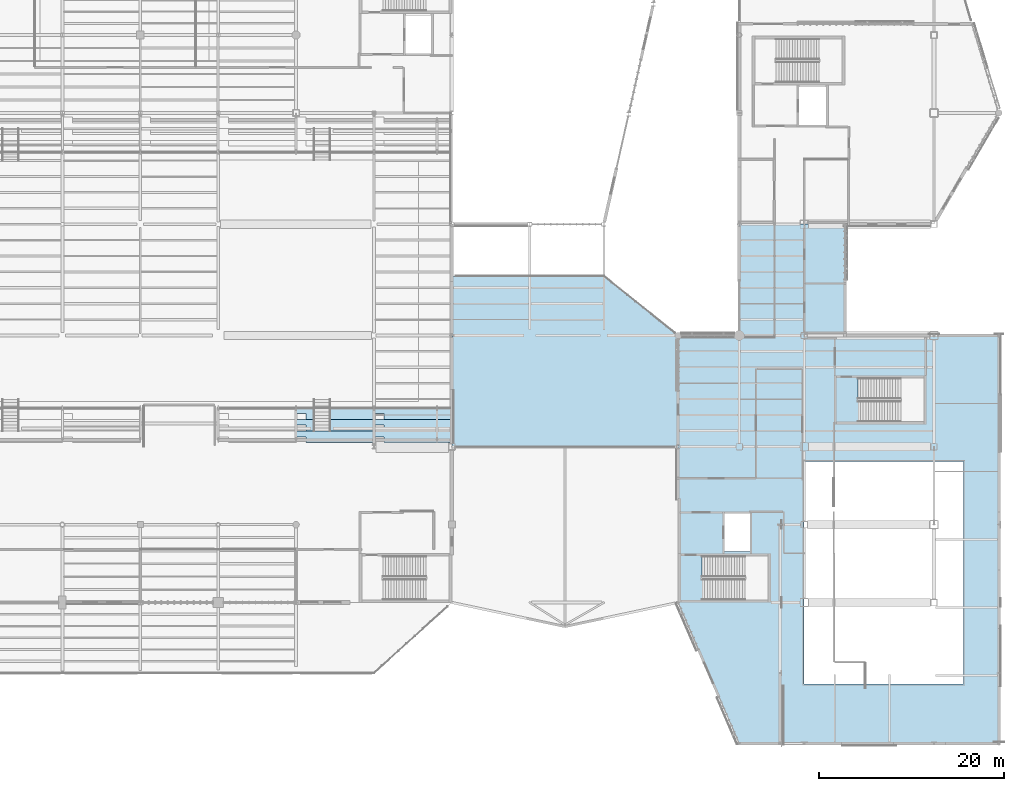
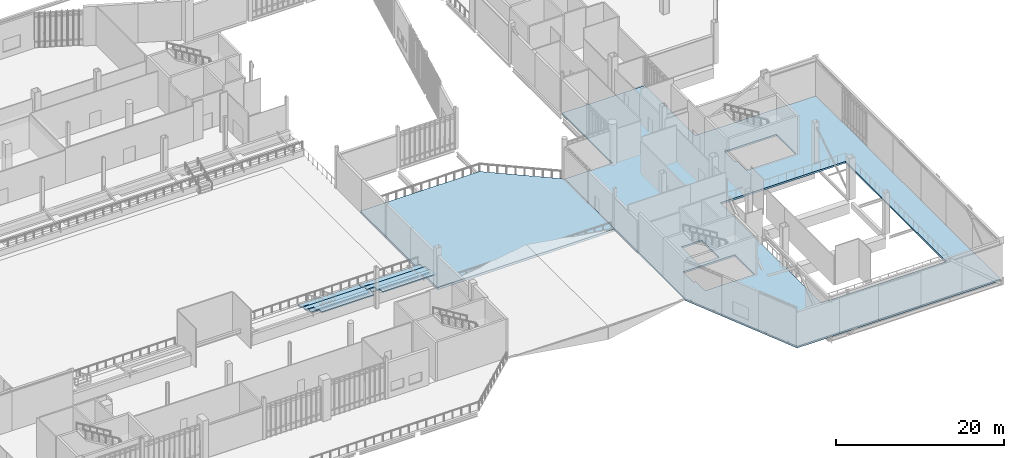
# One storey, part 71 of 135: 8 slabs.
"""IFC4 building model written with IfcOpenShell, lengths in metres."""

from ifc_helpers import new_model, si_unit, direction, frame, origin, place, context, subcontext, project, spatial, polyline, outline, extrude, material, layer, layer_set, type_object, element, save


model = new_model("IFC4")

# Units and contexts
model_context = context("Model", 3, precision=1e-05, world=origin(), true_north=direction((0.0, 1.0)))
body_context = subcontext(model_context, "Body", "Model", "MODEL_VIEW")
ifc_project = project(units=[si_unit("LENGTHUNIT", "METRE"), si_unit("AREAUNIT", "SQUARE_METRE"), si_unit("VOLUMEUNIT", "CUBIC_METRE"), si_unit("PLANEANGLEUNIT", "RADIAN"), si_unit("MASSUNIT", "GRAM", prefix="KILO")], contexts=[model_context])

# Site, building, storey
site_placement = place(None, origin())
site = spatial("IfcSite", under=ifc_project, at=site_placement, CompositionType="ELEMENT")
building_placement = place(site_placement, origin())
building = spatial("IfcBuilding", under=site, at=building_placement, Name="Larkvane Passage Sports Hall", CompositionType="ELEMENT")
storey_placement = place(building_placement, frame((0.0, 0.0, 10.800048828125)))
storey = spatial("IfcBuildingStorey", under=building, at=storey_placement, Name="L02", CompositionType="ELEMENT", Elevation=10.800048828125)

# Slabs
ifc_material_1 = material(Name="Concrete C40/50", Category="concrete")
ifc_layer_1 = layer(ifc_material_1, 0.25)
ifc_layer_set_1 = layer_set([ifc_layer_1], Name="Concrete C40/50")
slab_type_1 = type_object("IfcSlabType", Name="SLB-FLR-250", PredefinedType="FLOOR", material=ifc_layer_set_1)
slab_1_placement = place(storey_placement, frame((0.0, 0.0, -0.25)))
element("IfcSlab", 1, at=slab_1_placement, inside=storey, type_object=slab_type_1, Name="Structural floor slab SLAB-L02-V2", PredefinedType="FLOOR", context=body_context, shape_type="SweptSolid", body=[
    extrude(outline(polyline([(118.0, 22.800048828125), (124.60009765625, 7.60009765625), (152.60009765625, 7.60009765625), (152.60009765625, 51.60009765625), (136.0, 51.60009765625), (136.0, 63.60009765625), (124.60009765625, 63.60009765625), (124.60009765625, 51.60009765625), (118.0, 51.60009765625), (118.0, 22.800048828125)]), holes=[polyline([(120.8798828125, 23.10009765625), (120.8798828125, 25.35009765625), (120.58056640625, 25.35009765625), (120.58056640625, 27.800048828125), (127.699951171875, 27.800048828125), (127.699951171875, 23.10009765625), (120.8798828125, 23.10009765625)]), polyline([(137.679931640625, 42.300048828125), (137.679931640625, 44.550048828125), (137.380615234375, 44.550048828125), (137.380615234375, 47.0), (144.5, 47.0), (144.5, 42.300048828125), (137.679931640625, 42.300048828125)]), polyline([(123.0, 32.39990234375), (125.800048828125, 32.39990234375), (125.800048828125, 28.300048828125), (123.0, 28.300048828125), (123.0, 32.39990234375)]), polyline([(131.60009765625, 38.0), (148.800048828125, 38.0), (148.800048828125, 14.0), (131.60009765625, 14.0), (131.60009765625, 38.0)])]), origin(), (0.0, 0.0, 1.0), 0.25),
])
ifc_layer_2 = layer(ifc_material_1, 0.340087890625)
ifc_layer_set_2 = layer_set([ifc_layer_2], Name="Concrete C40/50")
slab_type_2 = type_object("IfcSlabType", Name="SLB-TER-195", PredefinedType="FLOOR", material=ifc_layer_set_2)
slab_2_placement = place(storey_placement, frame((0.0, 0.0, -0.340087890625)))
element("IfcSlab", 2, at=slab_2_placement, inside=storey, type_object=slab_type_2, Name="Exterior terrace deck SLAB-EXT-L02-BRIDGE", PredefinedType="FLOOR", context=body_context, shape_type="SweptSolid", body=[
    extrude(outline(polyline([(93.60009765625, 39.60009765625), (118.0, 39.60009765625), (118.0, 51.60009765625), (110.0, 58.0), (93.60009765625, 58.0), (93.60009765625, 39.60009765625)])), origin(), (0.0, 0.0, 1.0), 0.340087890625),
])
ifc_material_2 = material(Name="Precast concrete C45/55", Category="concrete")
ifc_layer_3 = layer(ifc_material_2, 0.159912109375)
ifc_layer_set_3 = layer_set([ifc_layer_3], Name="Precast concrete C45/55")
slab_type_3 = type_object("IfcSlabType", Name="SLB-TIER-160", PredefinedType="USERDEFINED", material=ifc_layer_set_3)
slab_3_placement = place(storey_placement, frame((0.0, 0.0, 0.68994140625)))
element("IfcSlab", 3, at=slab_3_placement, inside=storey, type_object=slab_type_3, Name="Spectator Stand Tier S6-1", ObjectType="SEATING TIER", PredefinedType="USERDEFINED", context=body_context, shape_type="SweptSolid", body=[
    extrude(outline(polyline([(77.89990234375, 42.550048828125), (85.199951171875, 42.550048828125), (85.199951171875, 43.800048828125), (76.800048828125, 43.800048828125), (76.800048828125, 43.175048828125), (77.89990234375, 43.175048828125), (77.89990234375, 42.550048828125)])), origin(), (0.0, 0.0, 1.0), 0.159912109375),
])
slab_4_placement = place(storey_placement, frame((0.0, 0.0, 1.530029296875)))
element("IfcSlab", 4, at=slab_4_placement, inside=storey, type_object=slab_type_3, Name="Spectator Stand Tier S6-3", ObjectType="SEATING TIER", PredefinedType="USERDEFINED", context=body_context, shape_type="SweptSolid", body=[
    extrude(outline(polyline([(77.89990234375, 40.050048828125), (85.199951171875, 40.050048828125), (85.199951171875, 41.300048828125), (76.800048828125, 41.300048828125), (76.800048828125, 40.675048828125), (77.89990234375, 40.675048828125), (77.89990234375, 40.050048828125)])), origin(), (0.0, 0.0, 1.0), 0.159912109375),
])
slab_5_placement = place(storey_placement, frame((0.0, 0.0, 0.68994140625)))
element("IfcSlab", 5, at=slab_5_placement, inside=storey, type_object=slab_type_3, Name="Spectator Stand Tier S7-1", ObjectType="SEATING TIER", PredefinedType="USERDEFINED", context=body_context, shape_type="SweptSolid", body=[
    extrude(outline(polyline([(86.300048828125, 42.550048828125), (93.60009765625, 42.550048828125), (93.60009765625, 43.800048828125), (85.199951171875, 43.800048828125), (85.199951171875, 43.175048828125), (86.300048828125, 43.175048828125), (86.300048828125, 42.550048828125)])), origin(), (0.0, 0.0, 1.0), 0.159912109375),
])
slab_6_placement = place(storey_placement, frame((0.0, 0.0, 1.530029296875)))
element("IfcSlab", 6, at=slab_6_placement, inside=storey, type_object=slab_type_3, Name="Spectator Stand Tier S7-3", ObjectType="SEATING TIER", PredefinedType="USERDEFINED", context=body_context, shape_type="SweptSolid", body=[
    extrude(outline(polyline([(86.300048828125, 40.050048828125), (93.60009765625, 40.050048828125), (93.60009765625, 41.300048828125), (85.199951171875, 41.300048828125), (85.199951171875, 40.675048828125), (86.300048828125, 40.675048828125), (86.300048828125, 40.050048828125)])), origin(), (0.0, 0.0, 1.0), 0.159912109375),
])
ifc_layer_4 = layer(ifc_material_2, 0.205078125)
ifc_layer_set_4 = layer_set([ifc_layer_4], Name="Precast concrete C45/55")
slab_type_4 = type_object("IfcSlabType", Name="SLB-TIER-205", PredefinedType="USERDEFINED", material=ifc_layer_set_4)
slab_7_placement = place(storey_placement, frame((0.0, 0.0, 1.06494140625)))
element("IfcSlab", 7, at=slab_7_placement, inside=storey, type_object=slab_type_4, Name="Spectator Stand Tier S6-2", ObjectType="SEATING TIER", PredefinedType="USERDEFINED", context=body_context, shape_type="SweptSolid", body=[
    extrude(outline(polyline([(77.89990234375, 41.300048828125), (85.199951171875, 41.300048828125), (85.199951171875, 42.550048828125), (76.800048828125, 42.550048828125), (76.800048828125, 41.925048828125), (77.89990234375, 41.925048828125), (77.89990234375, 41.300048828125)])), origin(), (0.0, 0.0, 1.0), 0.205078125),
])
slab_8_placement = place(storey_placement, frame((0.0, 0.0, 1.06494140625)))
element("IfcSlab", 8, at=slab_8_placement, inside=storey, type_object=slab_type_4, Name="Spectator Stand Tier S7-2", ObjectType="SEATING TIER", PredefinedType="USERDEFINED", context=body_context, shape_type="SweptSolid", body=[
    extrude(outline(polyline([(86.300048828125, 41.300048828125), (93.60009765625, 41.300048828125), (93.60009765625, 42.550048828125), (85.199951171875, 42.550048828125), (85.199951171875, 41.925048828125), (86.300048828125, 41.925048828125), (86.300048828125, 41.300048828125)])), origin(), (0.0, 0.0, 1.0), 0.205078125),
])

save(model, "model.ifc")
